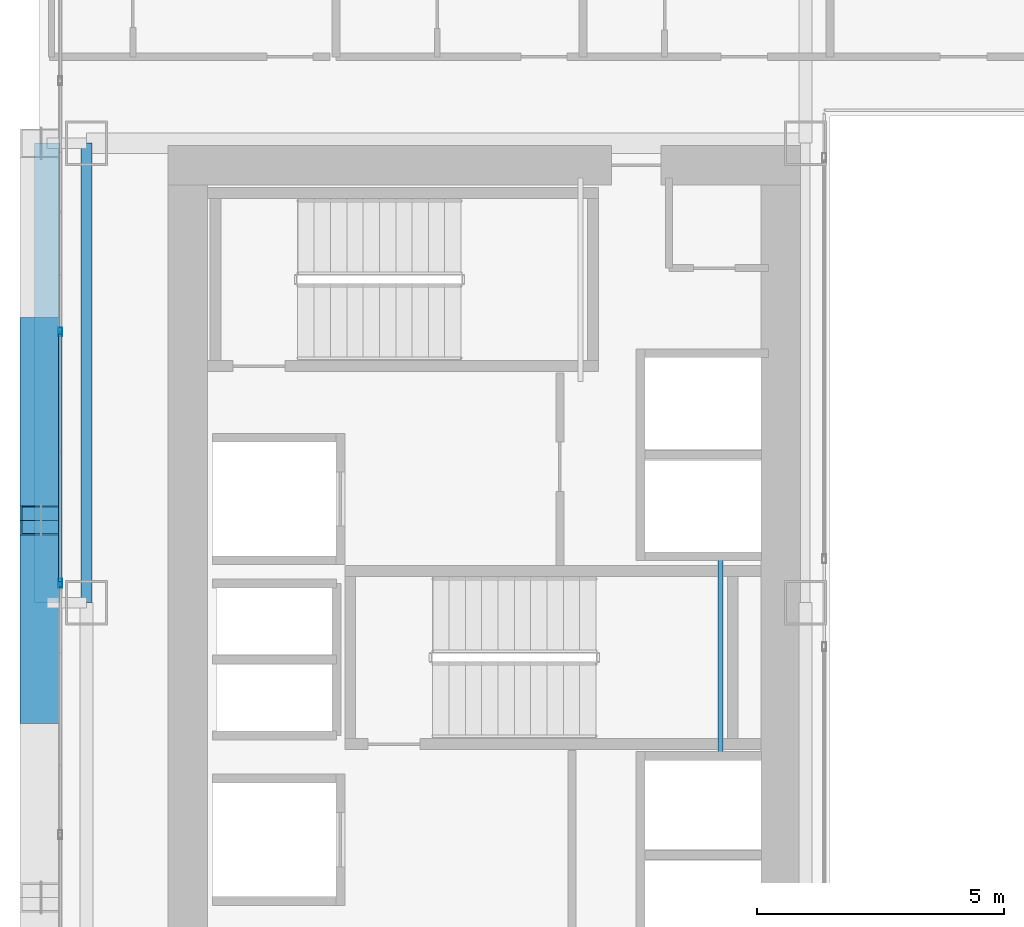
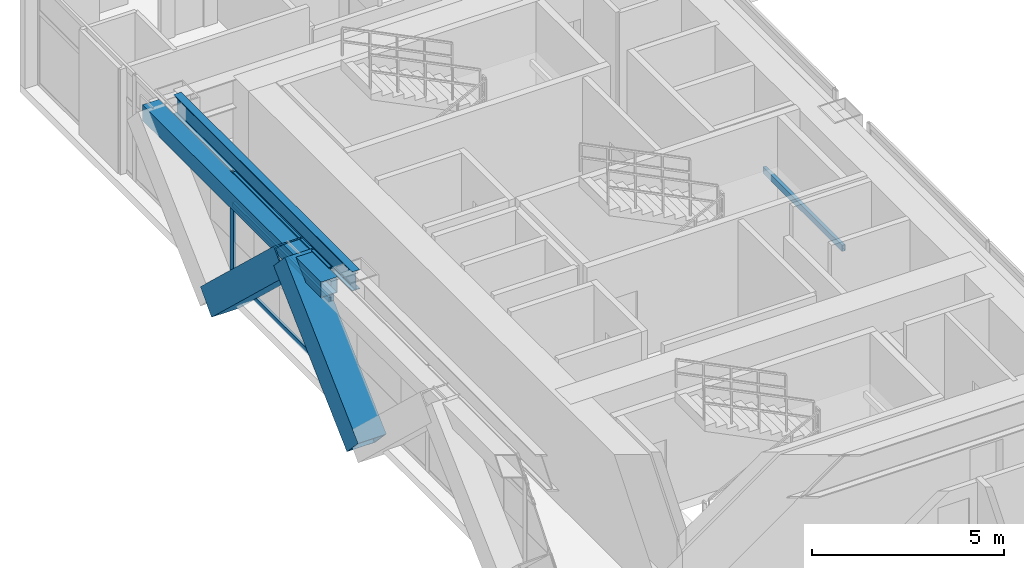
# One storey, part 9 of 41: 7 members, 3 beams, 1 element without a shape of its own.
"""IFC4 building model written with IfcOpenShell, lengths in metres."""

from ifc_helpers import new_model, si_unit, direction, frame, origin, origin_2d, place, context, subcontext, project, spatial, hollow_rectangle, i_section, extrude, source, transform, mapped, material, layer, layer_set, material_profile, profile_set, type_object, element, aggregate, save


model = new_model("IFC4")

# Units and contexts
model_context = context("Model", 3, precision=1e-05, world=origin(), true_north=direction((0.0, 1.0)))
body_context = subcontext(model_context, "Body", "Model", "MODEL_VIEW")
ifc_project = project(units=[si_unit("LENGTHUNIT", "METRE"), si_unit("AREAUNIT", "SQUARE_METRE"), si_unit("VOLUMEUNIT", "CUBIC_METRE"), si_unit("PLANEANGLEUNIT", "RADIAN"), si_unit("MASSUNIT", "GRAM", prefix="KILO")], contexts=[model_context])

# Site, building, storey
site_placement = place(None, origin())
site = spatial("IfcSite", under=ifc_project, at=site_placement, CompositionType="ELEMENT")
building_placement = place(site_placement, origin())
building = spatial("IfcBuilding", under=site, at=building_placement, Name="Ocotamira Hotel", CompositionType="ELEMENT")
storey_placement = place(building_placement, frame((0.0, 0.0, 67.199951171875)))
storey = spatial("IfcBuildingStorey", under=building, at=storey_placement, Name="L16", CompositionType="ELEMENT", Elevation=67.199951171875)

# Beams
ifc_material_1 = material(Name="Steel ASTM A500 Grade C", Category="steel")
ifc_material_profile_1 = material_profile(ifc_material_1, hollow_rectangle(XDim=0.10009765625, YDim=0.199951171875, WallThickness=0.008056640625, at=origin_2d()), Name="HSS200X100X8")
ifc_profile_set_1 = profile_set([ifc_material_profile_1], Name="Steel ASTM A500 Grade C")
beam_type_1 = type_object("IfcBeamType", Name="BM-STLDG-HSS200", PredefinedType="BEAM", material=ifc_profile_set_1)
shared_shape_1 = source(origin(), body_context, "Body", "SweptSolid", [
    extrude(hollow_rectangle(XDim=0.10009765625, YDim=0.199951171875, WallThickness=0.008056640625, at=origin_2d()), origin(), (0.0, 0.0, 1.0), 4.1201171875),
])
beam_1_placement = place(storey_placement, frame((21.780029296875, 24.97998046875, 1.5), z_axis=(0.0, 1.0, 0.0), x_axis=(-1.0, 0.0, 0.0)))
element("IfcBeam", 1, at=beam_1_placement, inside=storey, type_object=beam_type_1, Name="L16 Stair ST-3 Landing Bearer 1", PredefinedType="BEAM", context=body_context, shape_type="MappedRepresentation", body=[
    mapped(shared_shape_1, transform((0.0, 0.0, 0.0), scale=1.0)),
])
ifc_material_2 = material(Name="Steel ASTM A992 Grade 50", Category="steel")
ifc_material_profile_2 = material_profile(ifc_material_2, i_section(OverallWidth=0.22998046875, OverallDepth=0.616943359375, WebThickness=0.01318359375, FlangeThickness=0.022216796875, FilletRadius=0.012939453125, at=origin_2d()), Name="W24X94")
ifc_profile_set_2 = profile_set([ifc_material_profile_2], Name="Steel ASTM A992 Grade 50")
beam_type_2 = type_object("IfcBeamType", Name="BM-PRIM-W24X94", PredefinedType="BEAM", material=ifc_profile_set_2)
shared_shape_2 = source(origin(), body_context, "Body", "SweptSolid", [
    extrude(i_section(OverallWidth=0.22998046875, OverallDepth=0.616943359375, WebThickness=0.01318359375, FlangeThickness=0.022216796875, FilletRadius=0.012939453125, at=origin_2d()), origin(), (0.0, 0.0, 1.0), 9.300048828125),
])
beam_2_placement = place(storey_placement, frame((8.949951171875, 28.14990234375, 3.04150390625), z_axis=(0.0, 1.0, 0.0), x_axis=(-1.0, 0.0, 0.0)))
element("IfcBeam", 2, at=beam_2_placement, inside=storey, type_object=beam_type_2, Name="L16 Beam X8.95 Y28.15-37.45", PredefinedType="BEAM", context=body_context, shape_type="MappedRepresentation", body=[
    mapped(shared_shape_2, transform((0.0, 0.0, 0.0), scale=1.0)),
])
ifc_material_profile_3 = material_profile(ifc_material_1, hollow_rectangle(XDim=0.5, YDim=0.5, WallThickness=0.02001953125, at=origin_2d()), Name="HSS500X500X20")
ifc_profile_set_3 = profile_set([ifc_material_profile_3], Name="Steel ASTM A500 Grade C")
beam_type_3 = type_object("IfcBeamType", Name="BM-SPAN-HSS500", PredefinedType="USERDEFINED", material=ifc_profile_set_3)
shared_shape_3 = source(origin(), body_context, "Body", "SweptSolid", [
    extrude(hollow_rectangle(XDim=0.5, YDim=0.5, WallThickness=0.02001953125, at=origin_2d()), origin(), (0.0, 0.0, 1.0), 9.300048828125),
])
beam_3_placement = place(storey_placement, frame((8.14990234375, 28.14990234375, 3.10009765625), z_axis=(0.0, 1.0, 0.0), x_axis=(-1.0, 0.0, 0.0)))
element("IfcBeam", 3, at=beam_3_placement, inside=storey, type_object=beam_type_3, Name="L16 Edge Spandrel W Y28.15-37.45", ObjectType="SPANDREL", PredefinedType="USERDEFINED", context=body_context, shape_type="MappedRepresentation", body=[
    mapped(shared_shape_3, transform((0.0, 0.0, 0.0), scale=1.0)),
])

# Members
ifc_material_3 = material(Name="Pale-metal coated steel ASTM A913 Grade 65", Category="steel")
ifc_material_profile_4 = material_profile(ifc_material_3, hollow_rectangle(XDim=0.85009765625, YDim=0.85009765625, WallThickness=0.035888671875, at=origin_2d()), Name="BOX850X850X36")
ifc_profile_set_4 = profile_set([ifc_material_profile_4], Name="Pale-metal coated steel ASTM A913 Grade 65")
member_type_1 = type_object("IfcMemberType", Name="MEM-EXO-BOX850", PredefinedType="BRACE", material=ifc_profile_set_4)
shared_shape_4 = source(origin(), body_context, "Body", "SweptSolid", [
    extrude(hollow_rectangle(XDim=0.85009765625, YDim=0.85009765625, WallThickness=0.035888671875, at=origin_2d()), origin(), (0.0, 0.0, 1.0), 5.24658203125),
])
for number, where, z_axis, x_axis, name in (
    (4, (8.030029296875, 26.0, -0.5), (0.0, 0.727442733726, 0.686168397078), (-1.0, 0.0, 0.0), "L16 Exoskeleton Diagrid W1.2"),
    (5, (8.030029296875, 33.63330078125, -0.5), (0.0, -0.727442733726, 0.686168397078), (1.0, 0.0, 0.0), "L16 Exoskeleton Diagrid W2.1"),
):
    element("IfcMember", number, at=place(storey_placement, frame(where, z_axis=z_axis, x_axis=x_axis)), inside=storey, type_object=member_type_1, Name=name, PredefinedType="BRACE", context=body_context, shape_type="MappedRepresentation", body=[
        mapped(shared_shape_4, transform((0.0, 0.0, 0.0), scale=1.0)),
    ])

# Curtain wall, members
ifc_material_4 = material(Name="Anodised pale-metal aluminium and solar glass", Category="aluminium")
ifc_layer = layer(ifc_material_4, 0.179931640625)
ifc_layer_set = layer_set([ifc_layer], Name="Anodised pale-metal aluminium and solar glass")
curtain_wall_type = type_object("IfcCurtainWallType", Name="CW-SYS2-Z1", PredefinedType="NOTDEFINED", material=ifc_layer_set)
curtain_wall_placement = place(storey_placement, origin())
curtain_wall = element("IfcCurtainWall", 6, at=curtain_wall_placement, inside=storey, type_object=curtain_wall_type, Name="L16 Curtain Wall CW-2 CW-L16-W", PredefinedType="NOTDEFINED")
ifc_material_5 = material(Name="Anodised pale-metal aluminium 6063-T6", Category="aluminium")
ifc_material_profile_5 = material_profile(ifc_material_5, hollow_rectangle(XDim=0.074951171875, YDim=0.14990234375, WallThickness=0.006103515625, at=origin_2d()), Name="HSS150X75X6")
ifc_profile_set_5 = profile_set([ifc_material_profile_5], Name="Anodised pale-metal aluminium 6063-T6")
member_type_2 = type_object("IfcMemberType", Name="CWT-150X75", PredefinedType="USERDEFINED", material=ifc_profile_set_5)
shared_shape_5 = source(origin(), body_context, "Body", "SweptSolid", [
    extrude(hollow_rectangle(XDim=0.074951171875, YDim=0.14990234375, WallThickness=0.006103515625, at=origin_2d()), origin(), (0.0, 0.0, 1.0), 5.005859375),
])
member_1_placement = place(storey_placement, frame((8.419921875, 28.582763671875, 0.03759765625), z_axis=(0.0, 1.0, 0.0), x_axis=(-1.0, 0.0, 0.0)))
member_1 = element("IfcMember", 7, at=member_1_placement, type_object=member_type_2, Name="CW-2 transom 5.1", ObjectType="TRANSOM", PredefinedType="USERDEFINED", context=body_context, shape_type="MappedRepresentation", body=[
    mapped(shared_shape_5, transform((0.0, 0.0, 0.0), scale=1.0)),
])
member_2_placement = place(storey_placement, frame((8.419921875, 28.582763671875, 2.35009765625), z_axis=(0.0, 1.0, 0.0), x_axis=(-1.0, 0.0, 0.0)))
member_2 = element("IfcMember", 8, at=member_2_placement, type_object=member_type_2, Name="CW-2 transom 5.2", ObjectType="TRANSOM", PredefinedType="USERDEFINED", context=body_context, shape_type="MappedRepresentation", body=[
    mapped(shared_shape_5, transform((0.0, 0.0, 0.0), scale=1.0)),
])
member_3_placement = place(storey_placement, frame((8.419921875, 28.582763671875, 3.3125), z_axis=(0.0, 1.0, 0.0), x_axis=(-1.0, 0.0, 0.0)))
member_3 = element("IfcMember", 9, at=member_3_placement, type_object=member_type_2, Name="CW-2 transom 5.3", ObjectType="TRANSOM", PredefinedType="USERDEFINED", context=body_context, shape_type="MappedRepresentation", body=[
    mapped(shared_shape_5, transform((0.0, 0.0, 0.0), scale=1.0)),
])
ifc_material_profile_6 = material_profile(ifc_material_5, hollow_rectangle(XDim=0.080078125, YDim=0.179931640625, WallThickness=0.006103515625, at=origin_2d()), Name="HSS180X80X6")
ifc_profile_set_6 = profile_set([ifc_material_profile_6], Name="Anodised pale-metal aluminium 6063-T6")
member_type_3 = type_object("IfcMemberType", Name="CWM-180X75", PredefinedType="MULLION", material=ifc_profile_set_6)
shared_shape_6 = source(origin(), body_context, "Body", "SweptSolid", [
    extrude(hollow_rectangle(XDim=0.080078125, YDim=0.179931640625, WallThickness=0.006103515625, at=origin_2d()), origin(), (0.0, 0.0, 1.0), 3.35009765625),
])
member_4_placement = place(storey_placement, frame((8.419921875, 28.54296875, 0.0), z_axis=(0.0, 0.0, 1.0), x_axis=(-1.0, 0.0, 0.0)))
member_4 = element("IfcMember", 10, at=member_4_placement, type_object=member_type_3, Name="CW-2 mullion 5", PredefinedType="MULLION", context=body_context, shape_type="MappedRepresentation", body=[
    mapped(shared_shape_6, transform((0.0, 0.0, 0.0), scale=1.0)),
])
member_5_placement = place(storey_placement, frame((8.419921875, 33.628662109375, 0.0), z_axis=(0.0, 0.0, 1.0), x_axis=(-1.0, 0.0, 0.0)))
member_5 = element("IfcMember", 11, at=member_5_placement, type_object=member_type_3, Name="CW-2 mullion 6", PredefinedType="MULLION", context=body_context, shape_type="MappedRepresentation", body=[
    mapped(shared_shape_6, transform((0.0, 0.0, 0.0), scale=1.0)),
])
aggregate(curtain_wall, [member_4, member_5, member_1, member_2, member_3])

save(model, "model.ifc")
